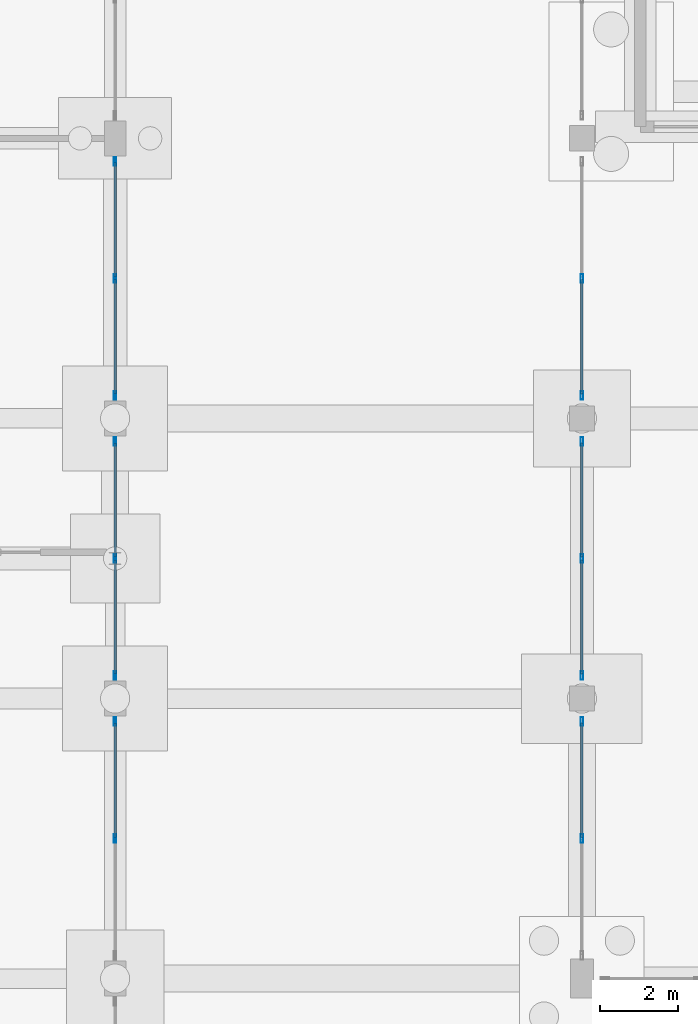
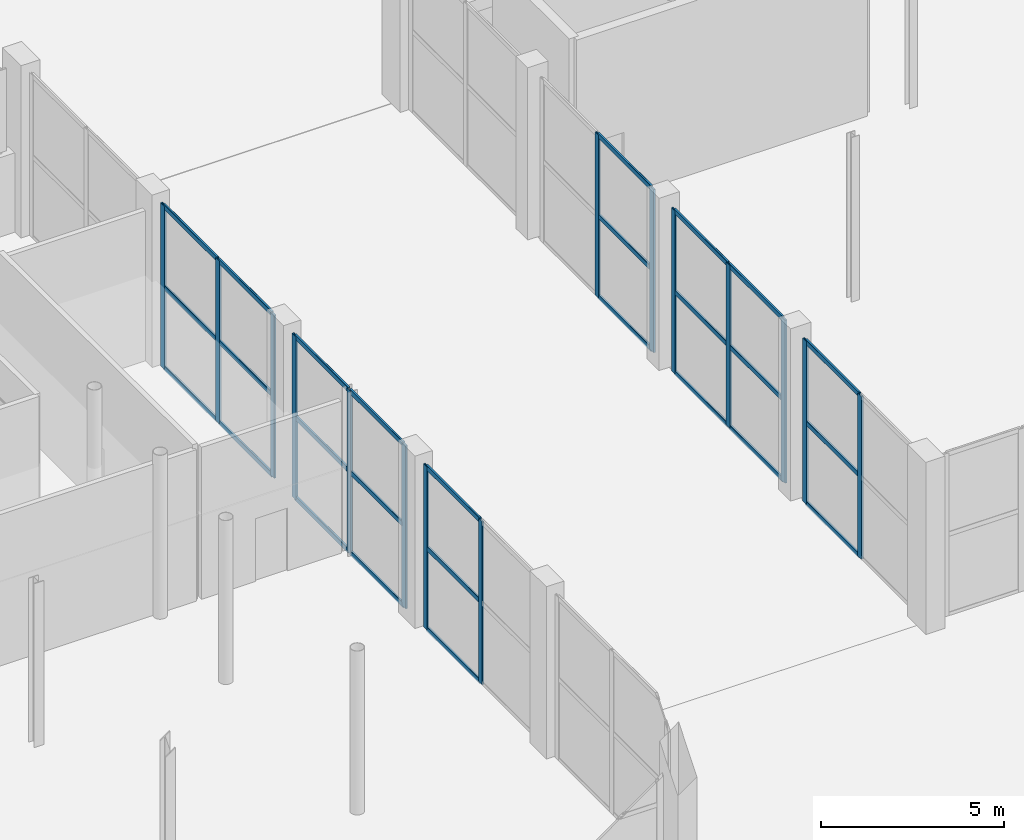
# One storey, part 57 of 103: 42 members, 6 elements without a shape of their own.
"""IFC4 building model written with IfcOpenShell, lengths in metres."""

from ifc_helpers import new_model, si_unit, direction, frame, origin, origin_2d, place, context, subcontext, project, spatial, hollow_rectangle, extrude, material, layer, layer_set, material_profile, profile_set, type_object, element, aggregate, save


model = new_model("IFC4")

# Units and contexts
model_context = context("Model", 3, precision=1e-05, world=origin(), true_north=direction((0.0, 1.0)))
body_context = subcontext(model_context, "Body", "Model", "MODEL_VIEW")
ifc_project = project(units=[si_unit("LENGTHUNIT", "METRE"), si_unit("AREAUNIT", "SQUARE_METRE"), si_unit("VOLUMEUNIT", "CUBIC_METRE"), si_unit("PLANEANGLEUNIT", "RADIAN"), si_unit("MASSUNIT", "GRAM", prefix="KILO")], contexts=[model_context])

# Site, building, storey
site_placement = place(None, origin())
site = spatial("IfcSite", under=ifc_project, at=site_placement, CompositionType="ELEMENT")
building_placement = place(site_placement, origin())
building = spatial("IfcBuilding", under=site, at=building_placement, Name="Dunvalen Ferry Terminal", CompositionType="ELEMENT")
storey_placement = place(building_placement, origin())
storey = spatial("IfcBuildingStorey", under=building, at=storey_placement, Name="L00", CompositionType="ELEMENT", Elevation=0.0)

# Curtain wall, members
ifc_material_1 = material(Name="Anodised marine aluminium and solar-control glazing", Category="aluminium")
ifc_layer = layer(ifc_material_1, 0.219970703125, Name="Anodised marine aluminium and solar-control glazing")
ifc_layer_set = layer_set([ifc_layer], Name="Anodised marine aluminium and solar-control glazing")
curtain_wall_type = type_object("IfcCurtainWallType", Name="ENV-CW-SYS-03", PredefinedType="NOTDEFINED", material=ifc_layer_set)
curtain_wall_1_placement = place(storey_placement, origin())
curtain_wall_1 = element("IfcCurtainWall", 1, at=curtain_wall_1_placement, inside=storey, type_object=curtain_wall_type, Name="L00 Curtain Wall CW-V1E-L00-02", PredefinedType="NOTDEFINED")
ifc_material_2 = material(Name="Anodised marine aluminium EN AW-6063 T6", Category="aluminium")
ifc_material_profile_1 = material_profile(ifc_material_2, hollow_rectangle(XDim=0.06494140625, YDim=0.219970703125, WallThickness=0.00390625, InnerFilletRadius=0.00390625, OuterFilletRadius=0.008056640625, at=origin_2d()), Name="Anodised marine aluminium EN AW-6063 T6")
ifc_profile_set_1 = profile_set([ifc_material_profile_1], Name="Anodised marine aluminium EN AW-6063 T6")
member_type_1 = type_object("IfcMemberType", Name="ENV-CW-MUL-1", PredefinedType="MULLION", material=ifc_profile_set_1)
member_1_placement = place(storey_placement, frame((96.0, 61.199951171875, 0.0), z_axis=(0.0, 0.0, 1.0), x_axis=(-1.0, 0.0, 0.0)))
member_1 = element("IfcMember", 2, at=member_1_placement, type_object=member_type_1, Name="CW-03 mullion 2", PredefinedType="MULLION", context=body_context, shape_type="SweptSolid", body=[
    extrude(hollow_rectangle(XDim=0.06494140625, YDim=0.219970703125, WallThickness=0.00390625, InnerFilletRadius=0.00390625, OuterFilletRadius=0.008056640625, at=origin_2d()), origin(), (0.0, 0.0, 1.0), 5.449951171875),
])
member_2_placement = place(storey_placement, frame((96.0, 64.20751953125, 0.0), z_axis=(0.0, 0.0, 1.0), x_axis=(-1.0, 0.0, 0.0)))
member_2 = element("IfcMember", 3, at=member_2_placement, type_object=member_type_1, Name="CW-03 mullion 3", PredefinedType="MULLION", context=body_context, shape_type="SweptSolid", body=[
    extrude(hollow_rectangle(XDim=0.06494140625, YDim=0.219970703125, WallThickness=0.00390625, InnerFilletRadius=0.00390625, OuterFilletRadius=0.008056640625, at=origin_2d()), origin(), (0.0, 0.0, 1.0), 5.449951171875),
])

curtain_wall_2_placement = place(storey_placement, origin())
curtain_wall_2 = element("IfcCurtainWall", 4, at=curtain_wall_2_placement, inside=storey, type_object=curtain_wall_type, Name="L00 Curtain Wall CW-V1E-L00-03", PredefinedType="NOTDEFINED")
member_3_placement = place(storey_placement, frame((96.0, 65.392578125, 0.0), z_axis=(0.0, 0.0, 1.0), x_axis=(-1.0, 0.0, 0.0)))
member_3 = element("IfcMember", 5, at=member_3_placement, type_object=member_type_1, Name="CW-03 mullion 1", PredefinedType="MULLION", context=body_context, shape_type="SweptSolid", body=[
    extrude(hollow_rectangle(XDim=0.06494140625, YDim=0.219970703125, WallThickness=0.00390625, InnerFilletRadius=0.00390625, OuterFilletRadius=0.008056640625, at=origin_2d()), origin(), (0.0, 0.0, 1.0), 5.449951171875),
])
member_4_placement = place(storey_placement, frame((96.0, 68.39990234375, 0.0), z_axis=(0.0, 0.0, 1.0), x_axis=(-1.0, 0.0, 0.0)))
member_4 = element("IfcMember", 6, at=member_4_placement, type_object=member_type_1, Name="CW-03 mullion 2", PredefinedType="MULLION", context=body_context, shape_type="SweptSolid", body=[
    extrude(hollow_rectangle(XDim=0.06494140625, YDim=0.219970703125, WallThickness=0.00390625, InnerFilletRadius=0.00390625, OuterFilletRadius=0.008056640625, at=origin_2d()), origin(), (0.0, 0.0, 1.0), 5.449951171875),
])
member_5_placement = place(storey_placement, frame((96.0, 71.407470703125, 0.0), z_axis=(0.0, 0.0, 1.0), x_axis=(-1.0, 0.0, 0.0)))
member_5 = element("IfcMember", 7, at=member_5_placement, type_object=member_type_1, Name="CW-03 mullion 3", PredefinedType="MULLION", context=body_context, shape_type="SweptSolid", body=[
    extrude(hollow_rectangle(XDim=0.06494140625, YDim=0.219970703125, WallThickness=0.00390625, InnerFilletRadius=0.00390625, OuterFilletRadius=0.008056640625, at=origin_2d()), origin(), (0.0, 0.0, 1.0), 5.449951171875),
])

curtain_wall_3_placement = place(storey_placement, origin())
curtain_wall_3 = element("IfcCurtainWall", 8, at=curtain_wall_3_placement, inside=storey, type_object=curtain_wall_type, Name="L00 Curtain Wall CW-V1E-L00-04", PredefinedType="NOTDEFINED")
member_6_placement = place(storey_placement, frame((96.0, 72.592529296875, 0.0), z_axis=(0.0, 0.0, 1.0), x_axis=(-1.0, 0.0, 0.0)))
member_6 = element("IfcMember", 9, at=member_6_placement, type_object=member_type_1, Name="CW-03 mullion 1", PredefinedType="MULLION", context=body_context, shape_type="SweptSolid", body=[
    extrude(hollow_rectangle(XDim=0.06494140625, YDim=0.219970703125, WallThickness=0.00390625, InnerFilletRadius=0.00390625, OuterFilletRadius=0.008056640625, at=origin_2d()), origin(), (0.0, 0.0, 1.0), 5.449951171875),
])
member_7_placement = place(storey_placement, frame((96.0, 75.60009765625, 0.0), z_axis=(0.0, 0.0, 1.0), x_axis=(-1.0, 0.0, 0.0)))
member_7 = element("IfcMember", 10, at=member_7_placement, type_object=member_type_1, Name="CW-03 mullion 2", PredefinedType="MULLION", context=body_context, shape_type="SweptSolid", body=[
    extrude(hollow_rectangle(XDim=0.06494140625, YDim=0.219970703125, WallThickness=0.00390625, InnerFilletRadius=0.00390625, OuterFilletRadius=0.008056640625, at=origin_2d()), origin(), (0.0, 0.0, 1.0), 5.449951171875),
])
member_8_placement = place(storey_placement, frame((96.0, 78.607421875, 0.0), z_axis=(0.0, 0.0, 1.0), x_axis=(-1.0, 0.0, 0.0)))
member_8 = element("IfcMember", 11, at=member_8_placement, type_object=member_type_1, Name="CW-03 mullion 3", PredefinedType="MULLION", context=body_context, shape_type="SweptSolid", body=[
    extrude(hollow_rectangle(XDim=0.06494140625, YDim=0.219970703125, WallThickness=0.00390625, InnerFilletRadius=0.00390625, OuterFilletRadius=0.008056640625, at=origin_2d()), origin(), (0.0, 0.0, 1.0), 5.449951171875),
])

curtain_wall_4_placement = place(storey_placement, origin())
curtain_wall_4 = element("IfcCurtainWall", 12, at=curtain_wall_4_placement, inside=storey, type_object=curtain_wall_type, Name="L00 Curtain Wall CW-V2W-L00-1", PredefinedType="NOTDEFINED")
member_9_placement = place(storey_placement, frame((108.0, 61.199951171875, 0.0), z_axis=(0.0, 0.0, 1.0), x_axis=(-1.0, 0.0, 0.0)))
member_9 = element("IfcMember", 13, at=member_9_placement, type_object=member_type_1, Name="CW-03 mullion 2", PredefinedType="MULLION", context=body_context, shape_type="SweptSolid", body=[
    extrude(hollow_rectangle(XDim=0.06494140625, YDim=0.219970703125, WallThickness=0.00390625, InnerFilletRadius=0.00390625, OuterFilletRadius=0.008056640625, at=origin_2d()), origin(), (0.0, 0.0, 1.0), 5.449951171875),
])
member_10_placement = place(storey_placement, frame((108.0, 64.20751953125, 0.0), z_axis=(0.0, 0.0, 1.0), x_axis=(-1.0, 0.0, 0.0)))
member_10 = element("IfcMember", 14, at=member_10_placement, type_object=member_type_1, Name="CW-03 mullion 3", PredefinedType="MULLION", context=body_context, shape_type="SweptSolid", body=[
    extrude(hollow_rectangle(XDim=0.06494140625, YDim=0.219970703125, WallThickness=0.00390625, InnerFilletRadius=0.00390625, OuterFilletRadius=0.008056640625, at=origin_2d()), origin(), (0.0, 0.0, 1.0), 5.449951171875),
])

curtain_wall_5_placement = place(storey_placement, origin())
curtain_wall_5 = element("IfcCurtainWall", 15, at=curtain_wall_5_placement, inside=storey, type_object=curtain_wall_type, Name="L00 Curtain Wall CW-V2W-L00-2", PredefinedType="NOTDEFINED")
member_11_placement = place(storey_placement, frame((108.0, 65.392578125, 0.0), z_axis=(0.0, 0.0, 1.0), x_axis=(-1.0, 0.0, 0.0)))
member_11 = element("IfcMember", 16, at=member_11_placement, type_object=member_type_1, Name="CW-03 mullion 1", PredefinedType="MULLION", context=body_context, shape_type="SweptSolid", body=[
    extrude(hollow_rectangle(XDim=0.06494140625, YDim=0.219970703125, WallThickness=0.00390625, InnerFilletRadius=0.00390625, OuterFilletRadius=0.008056640625, at=origin_2d()), origin(), (0.0, 0.0, 1.0), 5.449951171875),
])
member_12_placement = place(storey_placement, frame((108.0, 68.39990234375, 0.0), z_axis=(0.0, 0.0, 1.0), x_axis=(-1.0, 0.0, 0.0)))
member_12 = element("IfcMember", 17, at=member_12_placement, type_object=member_type_1, Name="CW-03 mullion 2", PredefinedType="MULLION", context=body_context, shape_type="SweptSolid", body=[
    extrude(hollow_rectangle(XDim=0.06494140625, YDim=0.219970703125, WallThickness=0.00390625, InnerFilletRadius=0.00390625, OuterFilletRadius=0.008056640625, at=origin_2d()), origin(), (0.0, 0.0, 1.0), 5.449951171875),
])
member_13_placement = place(storey_placement, frame((108.0, 71.407470703125, 0.0), z_axis=(0.0, 0.0, 1.0), x_axis=(-1.0, 0.0, 0.0)))
member_13 = element("IfcMember", 18, at=member_13_placement, type_object=member_type_1, Name="CW-03 mullion 3", PredefinedType="MULLION", context=body_context, shape_type="SweptSolid", body=[
    extrude(hollow_rectangle(XDim=0.06494140625, YDim=0.219970703125, WallThickness=0.00390625, InnerFilletRadius=0.00390625, OuterFilletRadius=0.008056640625, at=origin_2d()), origin(), (0.0, 0.0, 1.0), 5.449951171875),
])

curtain_wall_6_placement = place(storey_placement, origin())
curtain_wall_6 = element("IfcCurtainWall", 19, at=curtain_wall_6_placement, inside=storey, type_object=curtain_wall_type, Name="L00 Curtain Wall CW-V2W-L00-3", PredefinedType="NOTDEFINED")
member_14_placement = place(storey_placement, frame((108.0, 72.592529296875, 0.0), z_axis=(0.0, 0.0, 1.0), x_axis=(-1.0, 0.0, 0.0)))
member_14 = element("IfcMember", 20, at=member_14_placement, type_object=member_type_1, Name="CW-03 mullion 1", PredefinedType="MULLION", context=body_context, shape_type="SweptSolid", body=[
    extrude(hollow_rectangle(XDim=0.06494140625, YDim=0.219970703125, WallThickness=0.00390625, InnerFilletRadius=0.00390625, OuterFilletRadius=0.008056640625, at=origin_2d()), origin(), (0.0, 0.0, 1.0), 5.449951171875),
])
member_15_placement = place(storey_placement, frame((108.0, 75.60009765625, 0.0), z_axis=(0.0, 0.0, 1.0), x_axis=(-1.0, 0.0, 0.0)))
member_15 = element("IfcMember", 21, at=member_15_placement, type_object=member_type_1, Name="CW-03 mullion 2", PredefinedType="MULLION", context=body_context, shape_type="SweptSolid", body=[
    extrude(hollow_rectangle(XDim=0.06494140625, YDim=0.219970703125, WallThickness=0.00390625, InnerFilletRadius=0.00390625, OuterFilletRadius=0.008056640625, at=origin_2d()), origin(), (0.0, 0.0, 1.0), 5.449951171875),
])

# Member
ifc_material_profile_2 = material_profile(ifc_material_2, hollow_rectangle(XDim=0.06494140625, YDim=0.159912109375, WallThickness=0.00341796875, InnerFilletRadius=0.00341796875, OuterFilletRadius=0.007080078125, at=origin_2d()), Name="Anodised marine aluminium EN AW-6063 T6")
ifc_profile_set_2 = profile_set([ifc_material_profile_2], Name="Anodised marine aluminium EN AW-6063 T6")
member_type_2 = type_object("IfcMemberType", Name="ENV-CW-TRN-1", PredefinedType="USERDEFINED", material=ifc_profile_set_2)
member_16_placement = place(storey_placement, frame((96.0, 61.232421875, 0.032470703125), z_axis=(0.0, 1.0, 0.0), x_axis=(-1.0, 0.0, 0.0)))
member_16 = element("IfcMember", 22, at=member_16_placement, type_object=member_type_2, Name="CW-03 transom 2.1", ObjectType="TRANSOM", PredefinedType="USERDEFINED", context=body_context, shape_type="SweptSolid", body=[
    extrude(hollow_rectangle(XDim=0.06494140625, YDim=0.159912109375, WallThickness=0.00341796875, InnerFilletRadius=0.00341796875, OuterFilletRadius=0.007080078125, at=origin_2d()), origin(), (0.0, 0.0, 1.0), 2.942626953125),
])

member_17_placement = place(storey_placement, frame((96.0, 61.232421875, 2.72509765625), z_axis=(0.0, 1.0, 0.0), x_axis=(-1.0, 0.0, 0.0)))
member_17 = element("IfcMember", 23, at=member_17_placement, type_object=member_type_2, Name="CW-03 transom 2.2", ObjectType="TRANSOM", PredefinedType="USERDEFINED", context=body_context, shape_type="SweptSolid", body=[
    extrude(hollow_rectangle(XDim=0.06494140625, YDim=0.159912109375, WallThickness=0.00341796875, InnerFilletRadius=0.00341796875, OuterFilletRadius=0.007080078125, at=origin_2d()), origin(), (0.0, 0.0, 1.0), 2.942626953125),
])

member_18_placement = place(storey_placement, frame((96.0, 61.232421875, 5.41748046875), z_axis=(0.0, 1.0, 0.0), x_axis=(-1.0, 0.0, 0.0)))
member_18 = element("IfcMember", 24, at=member_18_placement, type_object=member_type_2, Name="CW-03 transom 2.3", ObjectType="TRANSOM", PredefinedType="USERDEFINED", context=body_context, shape_type="SweptSolid", body=[
    extrude(hollow_rectangle(XDim=0.06494140625, YDim=0.159912109375, WallThickness=0.00341796875, InnerFilletRadius=0.00341796875, OuterFilletRadius=0.007080078125, at=origin_2d()), origin(), (0.0, 0.0, 1.0), 2.942626953125),
])

aggregate(curtain_wall_1, [member_1, member_2, member_16, member_17, member_18])

member_19_placement = place(storey_placement, frame((96.0, 65.425048828125, 0.032470703125), z_axis=(0.0, 1.0, 0.0), x_axis=(-1.0, 0.0, 0.0)))
member_19 = element("IfcMember", 25, at=member_19_placement, type_object=member_type_2, Name="CW-03 transom 1.1", ObjectType="TRANSOM", PredefinedType="USERDEFINED", context=body_context, shape_type="SweptSolid", body=[
    extrude(hollow_rectangle(XDim=0.06494140625, YDim=0.159912109375, WallThickness=0.00341796875, InnerFilletRadius=0.00341796875, OuterFilletRadius=0.007080078125, at=origin_2d()), origin(), (0.0, 0.0, 1.0), 2.9423828125),
])

member_20_placement = place(storey_placement, frame((96.0, 65.425048828125, 2.72509765625), z_axis=(0.0, 1.0, 0.0), x_axis=(-1.0, 0.0, 0.0)))
member_20 = element("IfcMember", 26, at=member_20_placement, type_object=member_type_2, Name="CW-03 transom 1.2", ObjectType="TRANSOM", PredefinedType="USERDEFINED", context=body_context, shape_type="SweptSolid", body=[
    extrude(hollow_rectangle(XDim=0.06494140625, YDim=0.159912109375, WallThickness=0.00341796875, InnerFilletRadius=0.00341796875, OuterFilletRadius=0.007080078125, at=origin_2d()), origin(), (0.0, 0.0, 1.0), 2.9423828125),
])

member_21_placement = place(storey_placement, frame((96.0, 65.425048828125, 5.41748046875), z_axis=(0.0, 1.0, 0.0), x_axis=(-1.0, 0.0, 0.0)))
member_21 = element("IfcMember", 27, at=member_21_placement, type_object=member_type_2, Name="CW-03 transom 1.3", ObjectType="TRANSOM", PredefinedType="USERDEFINED", context=body_context, shape_type="SweptSolid", body=[
    extrude(hollow_rectangle(XDim=0.06494140625, YDim=0.159912109375, WallThickness=0.00341796875, InnerFilletRadius=0.00341796875, OuterFilletRadius=0.007080078125, at=origin_2d()), origin(), (0.0, 0.0, 1.0), 2.9423828125),
])

member_22_placement = place(storey_placement, frame((96.0, 68.4326171875, 0.032470703125), z_axis=(0.0, 1.0, 0.0), x_axis=(-1.0, 0.0, 0.0)))
member_22 = element("IfcMember", 28, at=member_22_placement, type_object=member_type_2, Name="CW-03 transom 2.1", ObjectType="TRANSOM", PredefinedType="USERDEFINED", context=body_context, shape_type="SweptSolid", body=[
    extrude(hollow_rectangle(XDim=0.06494140625, YDim=0.159912109375, WallThickness=0.00341796875, InnerFilletRadius=0.00341796875, OuterFilletRadius=0.007080078125, at=origin_2d()), origin(), (0.0, 0.0, 1.0), 2.9423828125),
])

member_23_placement = place(storey_placement, frame((96.0, 68.4326171875, 2.72509765625), z_axis=(0.0, 1.0, 0.0), x_axis=(-1.0, 0.0, 0.0)))
member_23 = element("IfcMember", 29, at=member_23_placement, type_object=member_type_2, Name="CW-03 transom 2.2", ObjectType="TRANSOM", PredefinedType="USERDEFINED", context=body_context, shape_type="SweptSolid", body=[
    extrude(hollow_rectangle(XDim=0.06494140625, YDim=0.159912109375, WallThickness=0.00341796875, InnerFilletRadius=0.00341796875, OuterFilletRadius=0.007080078125, at=origin_2d()), origin(), (0.0, 0.0, 1.0), 2.9423828125),
])

member_24_placement = place(storey_placement, frame((96.0, 68.4326171875, 5.41748046875), z_axis=(0.0, 1.0, 0.0), x_axis=(-1.0, 0.0, 0.0)))
member_24 = element("IfcMember", 30, at=member_24_placement, type_object=member_type_2, Name="CW-03 transom 2.3", ObjectType="TRANSOM", PredefinedType="USERDEFINED", context=body_context, shape_type="SweptSolid", body=[
    extrude(hollow_rectangle(XDim=0.06494140625, YDim=0.159912109375, WallThickness=0.00341796875, InnerFilletRadius=0.00341796875, OuterFilletRadius=0.007080078125, at=origin_2d()), origin(), (0.0, 0.0, 1.0), 2.9423828125),
])

aggregate(curtain_wall_2, [member_3, member_4, member_5, member_19, member_20, member_21, member_22, member_23, member_24])

member_25_placement = place(storey_placement, frame((96.0, 72.625, 0.032470703125), z_axis=(0.0, 1.0, 0.0), x_axis=(-1.0, 0.0, 0.0)))
member_25 = element("IfcMember", 31, at=member_25_placement, type_object=member_type_2, Name="CW-03 transom 1.1", ObjectType="TRANSOM", PredefinedType="USERDEFINED", context=body_context, shape_type="SweptSolid", body=[
    extrude(hollow_rectangle(XDim=0.06494140625, YDim=0.159912109375, WallThickness=0.00341796875, InnerFilletRadius=0.00341796875, OuterFilletRadius=0.007080078125, at=origin_2d()), origin(), (0.0, 0.0, 1.0), 2.9423828125),
])

member_26_placement = place(storey_placement, frame((96.0, 72.625, 2.72509765625), z_axis=(0.0, 1.0, 0.0), x_axis=(-1.0, 0.0, 0.0)))
member_26 = element("IfcMember", 32, at=member_26_placement, type_object=member_type_2, Name="CW-03 transom 1.2", ObjectType="TRANSOM", PredefinedType="USERDEFINED", context=body_context, shape_type="SweptSolid", body=[
    extrude(hollow_rectangle(XDim=0.06494140625, YDim=0.159912109375, WallThickness=0.00341796875, InnerFilletRadius=0.00341796875, OuterFilletRadius=0.007080078125, at=origin_2d()), origin(), (0.0, 0.0, 1.0), 2.9423828125),
])

member_27_placement = place(storey_placement, frame((96.0, 72.625, 5.41748046875), z_axis=(0.0, 1.0, 0.0), x_axis=(-1.0, 0.0, 0.0)))
member_27 = element("IfcMember", 33, at=member_27_placement, type_object=member_type_2, Name="CW-03 transom 1.3", ObjectType="TRANSOM", PredefinedType="USERDEFINED", context=body_context, shape_type="SweptSolid", body=[
    extrude(hollow_rectangle(XDim=0.06494140625, YDim=0.159912109375, WallThickness=0.00341796875, InnerFilletRadius=0.00341796875, OuterFilletRadius=0.007080078125, at=origin_2d()), origin(), (0.0, 0.0, 1.0), 2.9423828125),
])

member_28_placement = place(storey_placement, frame((96.0, 75.632568359375, 0.032470703125), z_axis=(0.0, 1.0, 0.0), x_axis=(-1.0, 0.0, 0.0)))
member_28 = element("IfcMember", 34, at=member_28_placement, type_object=member_type_2, Name="CW-03 transom 2.1", ObjectType="TRANSOM", PredefinedType="USERDEFINED", context=body_context, shape_type="SweptSolid", body=[
    extrude(hollow_rectangle(XDim=0.06494140625, YDim=0.159912109375, WallThickness=0.00341796875, InnerFilletRadius=0.00341796875, OuterFilletRadius=0.007080078125, at=origin_2d()), origin(), (0.0, 0.0, 1.0), 2.9423828125),
])

member_29_placement = place(storey_placement, frame((96.0, 75.632568359375, 2.72509765625), z_axis=(0.0, 1.0, 0.0), x_axis=(-1.0, 0.0, 0.0)))
member_29 = element("IfcMember", 35, at=member_29_placement, type_object=member_type_2, Name="CW-03 transom 2.2", ObjectType="TRANSOM", PredefinedType="USERDEFINED", context=body_context, shape_type="SweptSolid", body=[
    extrude(hollow_rectangle(XDim=0.06494140625, YDim=0.159912109375, WallThickness=0.00341796875, InnerFilletRadius=0.00341796875, OuterFilletRadius=0.007080078125, at=origin_2d()), origin(), (0.0, 0.0, 1.0), 2.9423828125),
])

member_30_placement = place(storey_placement, frame((96.0, 75.632568359375, 5.41748046875), z_axis=(0.0, 1.0, 0.0), x_axis=(-1.0, 0.0, 0.0)))
member_30 = element("IfcMember", 36, at=member_30_placement, type_object=member_type_2, Name="CW-03 transom 2.3", ObjectType="TRANSOM", PredefinedType="USERDEFINED", context=body_context, shape_type="SweptSolid", body=[
    extrude(hollow_rectangle(XDim=0.06494140625, YDim=0.159912109375, WallThickness=0.00341796875, InnerFilletRadius=0.00341796875, OuterFilletRadius=0.007080078125, at=origin_2d()), origin(), (0.0, 0.0, 1.0), 2.9423828125),
])

aggregate(curtain_wall_3, [member_6, member_7, member_8, member_25, member_26, member_27, member_28, member_29, member_30])

member_31_placement = place(storey_placement, frame((108.0, 61.232421875, 0.032470703125), z_axis=(0.0, 1.0, 0.0), x_axis=(-1.0, 0.0, 0.0)))
member_31 = element("IfcMember", 37, at=member_31_placement, type_object=member_type_2, Name="CW-03 transom 2.1", ObjectType="TRANSOM", PredefinedType="USERDEFINED", context=body_context, shape_type="SweptSolid", body=[
    extrude(hollow_rectangle(XDim=0.06494140625, YDim=0.159912109375, WallThickness=0.00341796875, InnerFilletRadius=0.00341796875, OuterFilletRadius=0.007080078125, at=origin_2d()), origin(), (0.0, 0.0, 1.0), 2.942626953125),
])

member_32_placement = place(storey_placement, frame((108.0, 61.232421875, 2.72509765625), z_axis=(0.0, 1.0, 0.0), x_axis=(-1.0, 0.0, 0.0)))
member_32 = element("IfcMember", 38, at=member_32_placement, type_object=member_type_2, Name="CW-03 transom 2.2", ObjectType="TRANSOM", PredefinedType="USERDEFINED", context=body_context, shape_type="SweptSolid", body=[
    extrude(hollow_rectangle(XDim=0.06494140625, YDim=0.159912109375, WallThickness=0.00341796875, InnerFilletRadius=0.00341796875, OuterFilletRadius=0.007080078125, at=origin_2d()), origin(), (0.0, 0.0, 1.0), 2.942626953125),
])

member_33_placement = place(storey_placement, frame((108.0, 61.232421875, 5.41748046875), z_axis=(0.0, 1.0, 0.0), x_axis=(-1.0, 0.0, 0.0)))
member_33 = element("IfcMember", 39, at=member_33_placement, type_object=member_type_2, Name="CW-03 transom 2.3", ObjectType="TRANSOM", PredefinedType="USERDEFINED", context=body_context, shape_type="SweptSolid", body=[
    extrude(hollow_rectangle(XDim=0.06494140625, YDim=0.159912109375, WallThickness=0.00341796875, InnerFilletRadius=0.00341796875, OuterFilletRadius=0.007080078125, at=origin_2d()), origin(), (0.0, 0.0, 1.0), 2.942626953125),
])

aggregate(curtain_wall_4, [member_9, member_10, member_31, member_32, member_33])

member_34_placement = place(storey_placement, frame((108.0, 65.425048828125, 0.032470703125), z_axis=(0.0, 1.0, 0.0), x_axis=(-1.0, 0.0, 0.0)))
member_34 = element("IfcMember", 40, at=member_34_placement, type_object=member_type_2, Name="CW-03 transom 1.1", ObjectType="TRANSOM", PredefinedType="USERDEFINED", context=body_context, shape_type="SweptSolid", body=[
    extrude(hollow_rectangle(XDim=0.06494140625, YDim=0.159912109375, WallThickness=0.00341796875, InnerFilletRadius=0.00341796875, OuterFilletRadius=0.007080078125, at=origin_2d()), origin(), (0.0, 0.0, 1.0), 2.9423828125),
])

member_35_placement = place(storey_placement, frame((108.0, 65.425048828125, 2.72509765625), z_axis=(0.0, 1.0, 0.0), x_axis=(-1.0, 0.0, 0.0)))
member_35 = element("IfcMember", 41, at=member_35_placement, type_object=member_type_2, Name="CW-03 transom 1.2", ObjectType="TRANSOM", PredefinedType="USERDEFINED", context=body_context, shape_type="SweptSolid", body=[
    extrude(hollow_rectangle(XDim=0.06494140625, YDim=0.159912109375, WallThickness=0.00341796875, InnerFilletRadius=0.00341796875, OuterFilletRadius=0.007080078125, at=origin_2d()), origin(), (0.0, 0.0, 1.0), 2.9423828125),
])

member_36_placement = place(storey_placement, frame((108.0, 65.425048828125, 5.41748046875), z_axis=(0.0, 1.0, 0.0), x_axis=(-1.0, 0.0, 0.0)))
member_36 = element("IfcMember", 42, at=member_36_placement, type_object=member_type_2, Name="CW-03 transom 1.3", ObjectType="TRANSOM", PredefinedType="USERDEFINED", context=body_context, shape_type="SweptSolid", body=[
    extrude(hollow_rectangle(XDim=0.06494140625, YDim=0.159912109375, WallThickness=0.00341796875, InnerFilletRadius=0.00341796875, OuterFilletRadius=0.007080078125, at=origin_2d()), origin(), (0.0, 0.0, 1.0), 2.9423828125),
])

member_37_placement = place(storey_placement, frame((108.0, 68.4326171875, 0.032470703125), z_axis=(0.0, 1.0, 0.0), x_axis=(-1.0, 0.0, 0.0)))
member_37 = element("IfcMember", 43, at=member_37_placement, type_object=member_type_2, Name="CW-03 transom 2.1", ObjectType="TRANSOM", PredefinedType="USERDEFINED", context=body_context, shape_type="SweptSolid", body=[
    extrude(hollow_rectangle(XDim=0.06494140625, YDim=0.159912109375, WallThickness=0.00341796875, InnerFilletRadius=0.00341796875, OuterFilletRadius=0.007080078125, at=origin_2d()), origin(), (0.0, 0.0, 1.0), 2.9423828125),
])

member_38_placement = place(storey_placement, frame((108.0, 68.4326171875, 2.72509765625), z_axis=(0.0, 1.0, 0.0), x_axis=(-1.0, 0.0, 0.0)))
member_38 = element("IfcMember", 44, at=member_38_placement, type_object=member_type_2, Name="CW-03 transom 2.2", ObjectType="TRANSOM", PredefinedType="USERDEFINED", context=body_context, shape_type="SweptSolid", body=[
    extrude(hollow_rectangle(XDim=0.06494140625, YDim=0.159912109375, WallThickness=0.00341796875, InnerFilletRadius=0.00341796875, OuterFilletRadius=0.007080078125, at=origin_2d()), origin(), (0.0, 0.0, 1.0), 2.9423828125),
])

member_39_placement = place(storey_placement, frame((108.0, 68.4326171875, 5.41748046875), z_axis=(0.0, 1.0, 0.0), x_axis=(-1.0, 0.0, 0.0)))
member_39 = element("IfcMember", 45, at=member_39_placement, type_object=member_type_2, Name="CW-03 transom 2.3", ObjectType="TRANSOM", PredefinedType="USERDEFINED", context=body_context, shape_type="SweptSolid", body=[
    extrude(hollow_rectangle(XDim=0.06494140625, YDim=0.159912109375, WallThickness=0.00341796875, InnerFilletRadius=0.00341796875, OuterFilletRadius=0.007080078125, at=origin_2d()), origin(), (0.0, 0.0, 1.0), 2.9423828125),
])

aggregate(curtain_wall_5, [member_11, member_12, member_13, member_34, member_35, member_36, member_37, member_38, member_39])

member_40_placement = place(storey_placement, frame((108.0, 72.625, 0.032470703125), z_axis=(0.0, 1.0, 0.0), x_axis=(-1.0, 0.0, 0.0)))
member_40 = element("IfcMember", 46, at=member_40_placement, type_object=member_type_2, Name="CW-03 transom 1.1", ObjectType="TRANSOM", PredefinedType="USERDEFINED", context=body_context, shape_type="SweptSolid", body=[
    extrude(hollow_rectangle(XDim=0.06494140625, YDim=0.159912109375, WallThickness=0.00341796875, InnerFilletRadius=0.00341796875, OuterFilletRadius=0.007080078125, at=origin_2d()), origin(), (0.0, 0.0, 1.0), 2.9423828125),
])

member_41_placement = place(storey_placement, frame((108.0, 72.625, 2.72509765625), z_axis=(0.0, 1.0, 0.0), x_axis=(-1.0, 0.0, 0.0)))
member_41 = element("IfcMember", 47, at=member_41_placement, type_object=member_type_2, Name="CW-03 transom 1.2", ObjectType="TRANSOM", PredefinedType="USERDEFINED", context=body_context, shape_type="SweptSolid", body=[
    extrude(hollow_rectangle(XDim=0.06494140625, YDim=0.159912109375, WallThickness=0.00341796875, InnerFilletRadius=0.00341796875, OuterFilletRadius=0.007080078125, at=origin_2d()), origin(), (0.0, 0.0, 1.0), 2.9423828125),
])

member_42_placement = place(storey_placement, frame((108.0, 72.625, 5.41748046875), z_axis=(0.0, 1.0, 0.0), x_axis=(-1.0, 0.0, 0.0)))
member_42 = element("IfcMember", 48, at=member_42_placement, type_object=member_type_2, Name="CW-03 transom 1.3", ObjectType="TRANSOM", PredefinedType="USERDEFINED", context=body_context, shape_type="SweptSolid", body=[
    extrude(hollow_rectangle(XDim=0.06494140625, YDim=0.159912109375, WallThickness=0.00341796875, InnerFilletRadius=0.00341796875, OuterFilletRadius=0.007080078125, at=origin_2d()), origin(), (0.0, 0.0, 1.0), 2.9423828125),
])

aggregate(curtain_wall_6, [member_14, member_15, member_40, member_41, member_42])

save(model, "model.ifc")
